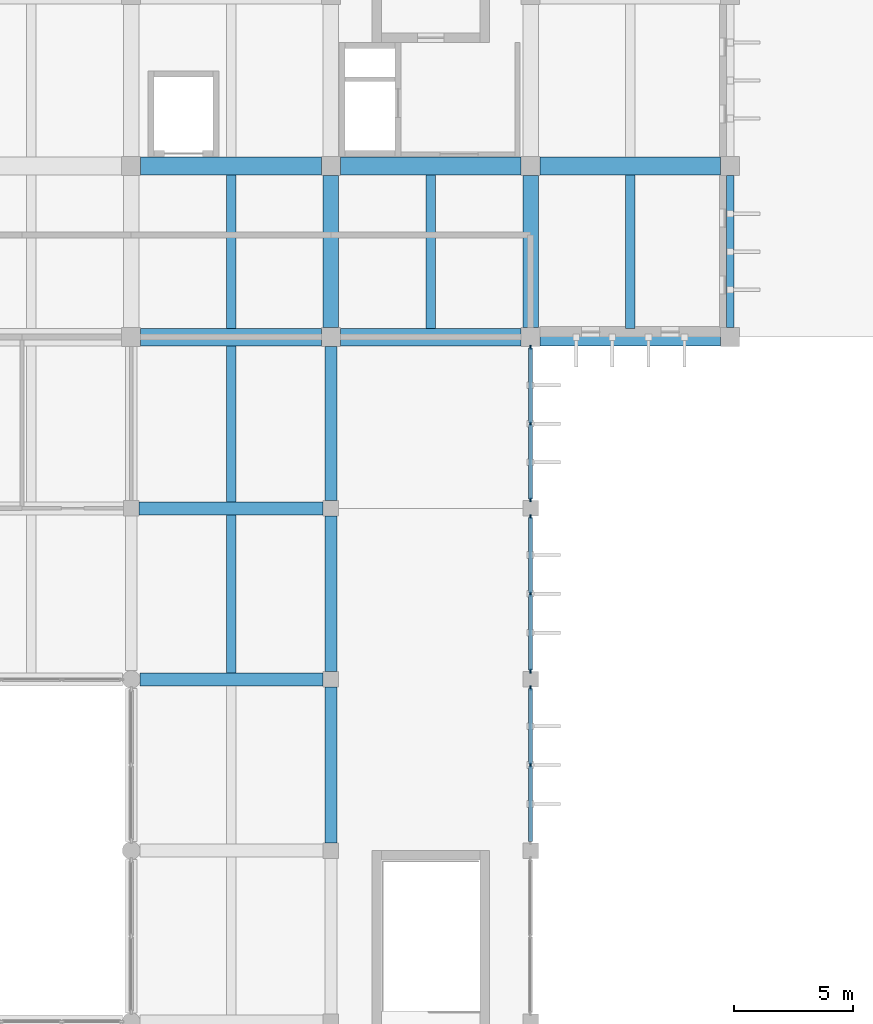
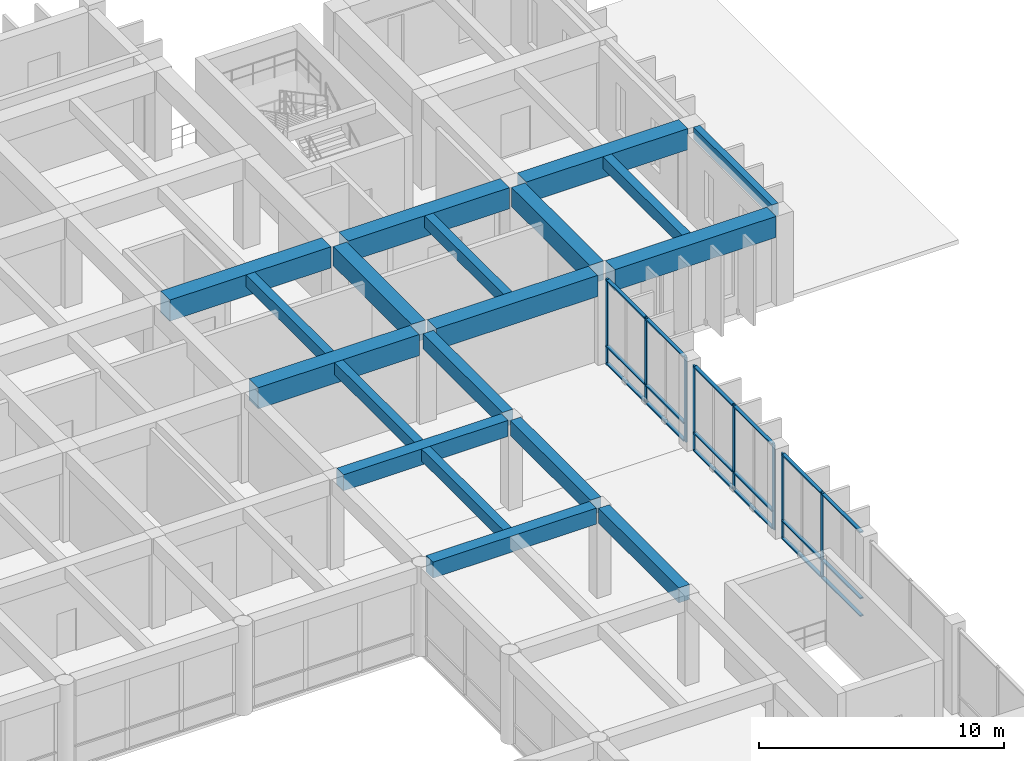
# One storey, part 19 of 40: 26 members, 19 beams, 3 elements without a shape of their own.
"""IFC4 building model written with IfcOpenShell, lengths in metres."""

from ifc_helpers import new_model, si_unit, direction, frame, origin, origin_2d, place, context, subcontext, project, spatial, rectangle, extrude, material, material_profile, profile_set, type_object, element, aggregate, save


model = new_model("IFC4")

# Units and contexts
model_context = context("Model", 3, precision=1e-05, world=origin(), true_north=direction((0.0, 1.0)))
body_context = subcontext(model_context, "Body", "Model", "MODEL_VIEW")
ifc_project = project(units=[si_unit("LENGTHUNIT", "METRE"), si_unit("AREAUNIT", "SQUARE_METRE"), si_unit("VOLUMEUNIT", "CUBIC_METRE"), si_unit("PLANEANGLEUNIT", "RADIAN"), si_unit("MASSUNIT", "GRAM", prefix="KILO")], contexts=[model_context])

# Site, building, storey
site_placement = place(None, origin())
site = spatial("IfcSite", under=ifc_project, at=site_placement, CompositionType="ELEMENT")
building_placement = place(site_placement, origin())
building = spatial("IfcBuilding", under=site, at=building_placement, Name="Kenerak Square Central Library", CompositionType="ELEMENT")
storey_placement = place(building_placement, frame((0.0, 0.0, 14.39990234375)))
storey = spatial("IfcBuildingStorey", under=building, at=storey_placement, Name="L03", CompositionType="ELEMENT", Elevation=14.39990234375)

# Beams
ifc_material_1 = material(Name="Concrete C45/55", Category="concrete")
ifc_material_profile_1 = material_profile(ifc_material_1, rectangle(XDim=0.64990234375, YDim=0.949951171875, at=origin_2d()), Name="RC 650x950")
ifc_profile_set_1 = profile_set([ifc_material_profile_1], Name="Concrete C45/55")
beam_type_1 = type_object("IfcBeamType", Name="Book Stack Girder B-02 RC 650x950 C45/55", PredefinedType="BEAM", material=ifc_profile_set_1)
for number, where, z_axis, x_axis, name in (
    (1, (108.800048828125, 89.199951171875, 4.005126953125), (0.0, 1.0, 0.0), (-1.0, 0.0, 0.0), "Beam B-02 L03 1500"),
    (2, (117.199951171875, 89.199951171875, 4.005126953125), (0.0, 1.0, 0.0), (-1.0, 0.0, 0.0), "Beam B-02 L03 1503"),
):
    element("IfcBeam", number, at=place(storey_placement, frame(where, z_axis=z_axis, x_axis=x_axis)), inside=storey, type_object=beam_type_1, Name=name, PredefinedType="BEAM", context=body_context, shape_type="SweptSolid", body=[
        extrude(rectangle(XDim=0.64990234375, YDim=0.949951171875, at=origin_2d()), origin(), (0.0, 0.0, 1.0), 6.400146484375),
    ])
ifc_material_profile_2 = material_profile(ifc_material_1, rectangle(XDim=0.75, YDim=1.050048828125, at=origin_2d()), Name="RC 750x1050")
ifc_profile_set_2 = profile_set([ifc_material_profile_2], Name="Concrete C45/55")
beam_type_2 = type_object("IfcBeamType", Name="Compact Stack Girder B-01 RC 750x1050 C45/55", PredefinedType="BEAM", material=ifc_profile_set_2)
beam_1_placement = place(storey_placement, frame((100.800048828125, 88.800048828125, 3.955078125), z_axis=(1.0, 0.0, 0.0), x_axis=(0.0, 1.0, 0.0)))
element("IfcBeam", 3, at=beam_1_placement, inside=storey, type_object=beam_type_2, Name="Beam B-01 L03 1440", PredefinedType="BEAM", context=body_context, shape_type="SweptSolid", body=[
    extrude(rectangle(XDim=0.75, YDim=1.050048828125, at=origin_2d()), origin(), (0.0, 0.0, 1.0), 7.599853515625),
])
beam_2_placement = place(storey_placement, frame((109.199951171875, 88.800048828125, 3.955078125), z_axis=(1.0, 0.0, 0.0), x_axis=(0.0, 1.0, 0.0)))
element("IfcBeam", 4, at=beam_2_placement, inside=storey, type_object=beam_type_2, Name="Beam B-01 L03 1441", PredefinedType="BEAM", context=body_context, shape_type="SweptSolid", body=[
    extrude(rectangle(XDim=0.75, YDim=1.050048828125, at=origin_2d()), origin(), (0.0, 0.0, 1.0), 7.60009765625),
])
for number, where, z_axis, x_axis, name in (
    (5, (117.60009765625, 88.800048828125, 3.955078125), (1.0, 0.0, 0.0), (0.0, 1.0, 0.0), "Beam B-01 L03 1442"),
    (6, (100.800048828125, 96.0, 3.955078125), (1.0, 0.0, 0.0), (0.0, 1.0, 0.0), "Beam B-01 L03 1448"),
):
    element("IfcBeam", number, at=place(storey_placement, frame(where, z_axis=z_axis, x_axis=x_axis)), inside=storey, type_object=beam_type_2, Name=name, PredefinedType="BEAM", context=body_context, shape_type="SweptSolid", body=[
        extrude(rectangle(XDim=0.75, YDim=1.050048828125, at=origin_2d()), origin(), (0.0, 0.0, 1.0), 7.599853515625),
    ])
beam_3_placement = place(storey_placement, frame((109.199951171875, 96.0, 3.955078125), z_axis=(1.0, 0.0, 0.0), x_axis=(0.0, 1.0, 0.0)))
element("IfcBeam", 7, at=beam_3_placement, inside=storey, type_object=beam_type_2, Name="Beam B-01 L03 1449", PredefinedType="BEAM", context=body_context, shape_type="SweptSolid", body=[
    extrude(rectangle(XDim=0.75, YDim=1.050048828125, at=origin_2d()), origin(), (0.0, 0.0, 1.0), 7.60009765625),
])
beam_4_placement = place(storey_placement, frame((117.60009765625, 96.0, 3.955078125), z_axis=(1.0, 0.0, 0.0), x_axis=(0.0, 1.0, 0.0)))
element("IfcBeam", 8, at=beam_4_placement, inside=storey, type_object=beam_type_2, Name="Beam B-01 L03 1450", PredefinedType="BEAM", context=body_context, shape_type="SweptSolid", body=[
    extrude(rectangle(XDim=0.75, YDim=1.050048828125, at=origin_2d()), origin(), (0.0, 0.0, 1.0), 7.599853515625),
])
ifc_material_2 = material(Name="Concrete C40/50", Category="concrete")
ifc_material_profile_3 = material_profile(ifc_material_2, rectangle(XDim=0.300048828125, YDim=0.60009765625, at=origin_2d()), Name="RC 300x600")
ifc_profile_set_3 = profile_set([ifc_material_profile_3], Name="Concrete C40/50")
beam_type_3 = type_object("IfcBeamType", Name="Courtyard Spandrel Beam SP-02 RC 300x600 C40/50", PredefinedType="SPANDREL", material=ifc_profile_set_3)
beam_5_placement = place(storey_placement, frame((125.60009765625, 89.199951171875, 4.18017578125), z_axis=(0.0, 1.0, 0.0), x_axis=(-1.0, 0.0, 0.0)))
element("IfcBeam", 9, at=beam_5_placement, inside=storey, type_object=beam_type_3, Name="Beam SP-02 L03 1506", PredefinedType="SPANDREL", context=body_context, shape_type="SweptSolid", body=[
    extrude(rectangle(XDim=0.300048828125, YDim=0.60009765625, at=origin_2d()), origin(), (0.0, 0.0, 1.0), 6.400146484375),
])

# Curtain wall, members
ifc_material_3 = material(Name="Anodised aluminium and solar-control low-E glazing", Category="aluminium")
curtain_wall_type_1 = type_object("IfcCurtainWallType", Name="Curtain Wall CW-V4-64x42 6475x4230", PredefinedType="USERDEFINED", material=ifc_material_3)
curtain_wall_1_placement = place(storey_placement, origin())
curtain_wall_1 = element("IfcCurtainWall", 10, at=curtain_wall_1_placement, inside=storey, type_object=curtain_wall_type_1, Name="Curtain Wall CW-V4-64x42 L03 0116", ObjectType="CURTAIN WALL", PredefinedType="USERDEFINED")
ifc_material_4 = material(Name="Anodised aluminium 6063-T6", Category="aluminium")
ifc_material_profile_4 = material_profile(ifc_material_4, rectangle(XDim=0.06494140625, YDim=0.179931640625, at=origin_2d()), Name="AL MULLION 65x180")
ifc_profile_set_4 = profile_set([ifc_material_profile_4], Name="Anodised aluminium 6063-T6")
member_type_1 = type_object("IfcMemberType", Name="Curtain Mullion CM-01 65x180", PredefinedType="MULLION", material=ifc_profile_set_4)
member_1_placement = place(storey_placement, frame((117.199951171875, 88.367431640625, 0.0), z_axis=(0.0, 0.0, 1.0), x_axis=(1.0, 0.0, 0.0)))
member_1 = element("IfcMember", 11, at=member_1_placement, type_object=member_type_1, Name="CW-V4-64x42 Mullion 1", PredefinedType="MULLION", context=body_context, shape_type="SweptSolid", body=[
    extrude(rectangle(XDim=0.06494140625, YDim=0.179931640625, at=origin_2d()), origin(), (0.0, 0.0, 1.0), 4.22998046875),
])
member_2_placement = place(storey_placement, frame((117.199951171875, 85.16259765625, 0.0), z_axis=(0.0, 0.0, 1.0), x_axis=(1.0, 0.0, 0.0)))
member_2 = element("IfcMember", 12, at=member_2_placement, type_object=member_type_1, Name="CW-V4-64x42 Mullion 2", PredefinedType="MULLION", context=body_context, shape_type="SweptSolid", body=[
    extrude(rectangle(XDim=0.06494140625, YDim=0.179931640625, at=origin_2d()), origin(), (0.0, 0.0, 1.0), 4.22998046875),
])
member_3_placement = place(storey_placement, frame((117.199951171875, 81.95751953125, 0.0), z_axis=(0.0, 0.0, 1.0), x_axis=(1.0, 0.0, 0.0)))
member_3 = element("IfcMember", 13, at=member_3_placement, type_object=member_type_1, Name="CW-V4-64x42 Mullion 3", PredefinedType="MULLION", context=body_context, shape_type="SweptSolid", body=[
    extrude(rectangle(XDim=0.06494140625, YDim=0.179931640625, at=origin_2d()), origin(), (0.0, 0.0, 1.0), 4.22998046875),
])

curtain_wall_type_2 = type_object("IfcCurtainWallType", Name="Curtain Wall CW-V4-65x42 6550x4230", PredefinedType="USERDEFINED", material=ifc_material_3)
curtain_wall_2_placement = place(storey_placement, origin())
curtain_wall_2 = element("IfcCurtainWall", 14, at=curtain_wall_2_placement, inside=storey, type_object=curtain_wall_type_2, Name="Curtain Wall CW-V4-65x42 L03 0117", ObjectType="CURTAIN WALL", PredefinedType="USERDEFINED")
member_4_placement = place(storey_placement, frame((117.199951171875, 81.242431640625, 0.0), z_axis=(0.0, 0.0, 1.0), x_axis=(1.0, 0.0, 0.0)))
member_4 = element("IfcMember", 15, at=member_4_placement, type_object=member_type_1, Name="CW-V4-65x42 Mullion 1", PredefinedType="MULLION", context=body_context, shape_type="SweptSolid", body=[
    extrude(rectangle(XDim=0.06494140625, YDim=0.179931640625, at=origin_2d()), origin(), (0.0, 0.0, 1.0), 4.22998046875),
])
member_5_placement = place(storey_placement, frame((117.199951171875, 78.0, 0.0), z_axis=(0.0, 0.0, 1.0), x_axis=(1.0, 0.0, 0.0)))
member_5 = element("IfcMember", 16, at=member_5_placement, type_object=member_type_1, Name="CW-V4-65x42 Mullion 2", PredefinedType="MULLION", context=body_context, shape_type="SweptSolid", body=[
    extrude(rectangle(XDim=0.06494140625, YDim=0.179931640625, at=origin_2d()), origin(), (0.0, 0.0, 1.0), 4.22998046875),
])
member_6_placement = place(storey_placement, frame((117.199951171875, 74.757568359375, 0.0), z_axis=(0.0, 0.0, 1.0), x_axis=(1.0, 0.0, 0.0)))
member_6 = element("IfcMember", 17, at=member_6_placement, type_object=member_type_1, Name="CW-V4-65x42 Mullion 3", PredefinedType="MULLION", context=body_context, shape_type="SweptSolid", body=[
    extrude(rectangle(XDim=0.06494140625, YDim=0.179931640625, at=origin_2d()), origin(), (0.0, 0.0, 1.0), 4.22998046875),
])

curtain_wall_3_placement = place(storey_placement, origin())
curtain_wall_3 = element("IfcCurtainWall", 18, at=curtain_wall_3_placement, inside=storey, type_object=curtain_wall_type_2, Name="Curtain Wall CW-V4-65x42 L03 0118", ObjectType="CURTAIN WALL", PredefinedType="USERDEFINED")
member_7_placement = place(storey_placement, frame((117.199951171875, 74.04248046875, 0.0), z_axis=(0.0, 0.0, 1.0), x_axis=(1.0, 0.0, 0.0)))
member_7 = element("IfcMember", 19, at=member_7_placement, type_object=member_type_1, Name="CW-V4-65x42 Mullion 1", PredefinedType="MULLION", context=body_context, shape_type="SweptSolid", body=[
    extrude(rectangle(XDim=0.06494140625, YDim=0.179931640625, at=origin_2d()), origin(), (0.0, 0.0, 1.0), 4.22998046875),
])
member_8_placement = place(storey_placement, frame((117.199951171875, 70.800048828125, 0.0), z_axis=(0.0, 0.0, 1.0), x_axis=(1.0, 0.0, 0.0)))
member_8 = element("IfcMember", 20, at=member_8_placement, type_object=member_type_1, Name="CW-V4-65x42 Mullion 2", PredefinedType="MULLION", context=body_context, shape_type="SweptSolid", body=[
    extrude(rectangle(XDim=0.06494140625, YDim=0.179931640625, at=origin_2d()), origin(), (0.0, 0.0, 1.0), 4.22998046875),
])

# Member
ifc_material_profile_5 = material_profile(ifc_material_4, rectangle(XDim=0.159912109375, YDim=0.06494140625, at=origin_2d()), Name="AL TRANSOM 160x65")
ifc_profile_set_5 = profile_set([ifc_material_profile_5], Name="Anodised aluminium 6063-T6")
member_type_2 = type_object("IfcMemberType", Name="Curtain Transom CT-11 160x65", PredefinedType="USERDEFINED", material=ifc_profile_set_5)
member_9_placement = place(storey_placement, frame((117.199951171875, 88.3349609375, 0.03271484375), z_axis=(0.0, -1.0, 0.0), x_axis=(1.0, 0.0, 0.0)))
member_9 = element("IfcMember", 21, at=member_9_placement, type_object=member_type_2, Name="CW-V4-64x42 Transom 1.1", ObjectType="TRANSOM", PredefinedType="USERDEFINED", context=body_context, shape_type="SweptSolid", body=[
    extrude(rectangle(XDim=0.159912109375, YDim=0.06494140625, at=origin_2d()), origin(), (0.0, 0.0, 1.0), 3.139892578125),
])

member_10_placement = place(storey_placement, frame((117.199951171875, 88.3349609375, 0.900146484375), z_axis=(0.0, -1.0, 0.0), x_axis=(1.0, 0.0, 0.0)))
member_10 = element("IfcMember", 22, at=member_10_placement, type_object=member_type_2, Name="CW-V4-64x42 Transom 1.2", ObjectType="TRANSOM", PredefinedType="USERDEFINED", context=body_context, shape_type="SweptSolid", body=[
    extrude(rectangle(XDim=0.159912109375, YDim=0.06494140625, at=origin_2d()), origin(), (0.0, 0.0, 1.0), 3.139892578125),
])

member_11_placement = place(storey_placement, frame((117.199951171875, 88.3349609375, 4.197509765625), z_axis=(0.0, -1.0, 0.0), x_axis=(1.0, 0.0, 0.0)))
member_11 = element("IfcMember", 23, at=member_11_placement, type_object=member_type_2, Name="CW-V4-64x42 Transom 1.3", ObjectType="TRANSOM", PredefinedType="USERDEFINED", context=body_context, shape_type="SweptSolid", body=[
    extrude(rectangle(XDim=0.159912109375, YDim=0.06494140625, at=origin_2d()), origin(), (0.0, 0.0, 1.0), 3.139892578125),
])

member_12_placement = place(storey_placement, frame((117.199951171875, 85.1298828125, 0.03271484375), z_axis=(0.0, -1.0, 0.0), x_axis=(1.0, 0.0, 0.0)))
member_12 = element("IfcMember", 24, at=member_12_placement, type_object=member_type_2, Name="CW-V4-64x42 Transom 2.1", ObjectType="TRANSOM", PredefinedType="USERDEFINED", context=body_context, shape_type="SweptSolid", body=[
    extrude(rectangle(XDim=0.159912109375, YDim=0.06494140625, at=origin_2d()), origin(), (0.0, 0.0, 1.0), 3.139892578125),
])

member_13_placement = place(storey_placement, frame((117.199951171875, 85.1298828125, 0.900146484375), z_axis=(0.0, -1.0, 0.0), x_axis=(1.0, 0.0, 0.0)))
member_13 = element("IfcMember", 25, at=member_13_placement, type_object=member_type_2, Name="CW-V4-64x42 Transom 2.2", ObjectType="TRANSOM", PredefinedType="USERDEFINED", context=body_context, shape_type="SweptSolid", body=[
    extrude(rectangle(XDim=0.159912109375, YDim=0.06494140625, at=origin_2d()), origin(), (0.0, 0.0, 1.0), 3.139892578125),
])

member_14_placement = place(storey_placement, frame((117.199951171875, 85.1298828125, 4.197509765625), z_axis=(0.0, -1.0, 0.0), x_axis=(1.0, 0.0, 0.0)))
member_14 = element("IfcMember", 26, at=member_14_placement, type_object=member_type_2, Name="CW-V4-64x42 Transom 2.3", ObjectType="TRANSOM", PredefinedType="USERDEFINED", context=body_context, shape_type="SweptSolid", body=[
    extrude(rectangle(XDim=0.159912109375, YDim=0.06494140625, at=origin_2d()), origin(), (0.0, 0.0, 1.0), 3.139892578125),
])

aggregate(curtain_wall_1, [member_1, member_2, member_3, member_9, member_10, member_11, member_12, member_13, member_14])

member_15_placement = place(storey_placement, frame((117.199951171875, 81.2099609375, 0.03271484375), z_axis=(0.0, -1.0, 0.0), x_axis=(1.0, 0.0, 0.0)))
member_15 = element("IfcMember", 27, at=member_15_placement, type_object=member_type_2, Name="CW-V4-65x42 Transom 1.1", ObjectType="TRANSOM", PredefinedType="USERDEFINED", context=body_context, shape_type="SweptSolid", body=[
    extrude(rectangle(XDim=0.159912109375, YDim=0.06494140625, at=origin_2d()), origin(), (0.0, 0.0, 1.0), 3.177490234375),
])

member_16_placement = place(storey_placement, frame((117.199951171875, 81.2099609375, 0.900146484375), z_axis=(0.0, -1.0, 0.0), x_axis=(1.0, 0.0, 0.0)))
member_16 = element("IfcMember", 28, at=member_16_placement, type_object=member_type_2, Name="CW-V4-65x42 Transom 1.2", ObjectType="TRANSOM", PredefinedType="USERDEFINED", context=body_context, shape_type="SweptSolid", body=[
    extrude(rectangle(XDim=0.159912109375, YDim=0.06494140625, at=origin_2d()), origin(), (0.0, 0.0, 1.0), 3.177490234375),
])

member_17_placement = place(storey_placement, frame((117.199951171875, 81.2099609375, 4.197509765625), z_axis=(0.0, -1.0, 0.0), x_axis=(1.0, 0.0, 0.0)))
member_17 = element("IfcMember", 29, at=member_17_placement, type_object=member_type_2, Name="CW-V4-65x42 Transom 1.3", ObjectType="TRANSOM", PredefinedType="USERDEFINED", context=body_context, shape_type="SweptSolid", body=[
    extrude(rectangle(XDim=0.159912109375, YDim=0.06494140625, at=origin_2d()), origin(), (0.0, 0.0, 1.0), 3.177490234375),
])

member_18_placement = place(storey_placement, frame((117.199951171875, 77.967529296875, 0.03271484375), z_axis=(0.0, -1.0, 0.0), x_axis=(1.0, 0.0, 0.0)))
member_18 = element("IfcMember", 30, at=member_18_placement, type_object=member_type_2, Name="CW-V4-65x42 Transom 2.1", ObjectType="TRANSOM", PredefinedType="USERDEFINED", context=body_context, shape_type="SweptSolid", body=[
    extrude(rectangle(XDim=0.159912109375, YDim=0.06494140625, at=origin_2d()), origin(), (0.0, 0.0, 1.0), 3.177490234375),
])

member_19_placement = place(storey_placement, frame((117.199951171875, 77.967529296875, 0.900146484375), z_axis=(0.0, -1.0, 0.0), x_axis=(1.0, 0.0, 0.0)))
member_19 = element("IfcMember", 31, at=member_19_placement, type_object=member_type_2, Name="CW-V4-65x42 Transom 2.2", ObjectType="TRANSOM", PredefinedType="USERDEFINED", context=body_context, shape_type="SweptSolid", body=[
    extrude(rectangle(XDim=0.159912109375, YDim=0.06494140625, at=origin_2d()), origin(), (0.0, 0.0, 1.0), 3.177490234375),
])

member_20_placement = place(storey_placement, frame((117.199951171875, 77.967529296875, 4.197509765625), z_axis=(0.0, -1.0, 0.0), x_axis=(1.0, 0.0, 0.0)))
member_20 = element("IfcMember", 32, at=member_20_placement, type_object=member_type_2, Name="CW-V4-65x42 Transom 2.3", ObjectType="TRANSOM", PredefinedType="USERDEFINED", context=body_context, shape_type="SweptSolid", body=[
    extrude(rectangle(XDim=0.159912109375, YDim=0.06494140625, at=origin_2d()), origin(), (0.0, 0.0, 1.0), 3.177490234375),
])

aggregate(curtain_wall_2, [member_4, member_5, member_6, member_15, member_16, member_17, member_18, member_19, member_20])

member_21_placement = place(storey_placement, frame((117.199951171875, 74.010009765625, 0.03271484375), z_axis=(0.0, -1.0, 0.0), x_axis=(1.0, 0.0, 0.0)))
member_21 = element("IfcMember", 33, at=member_21_placement, type_object=member_type_2, Name="CW-V4-65x42 Transom 1.1", ObjectType="TRANSOM", PredefinedType="USERDEFINED", context=body_context, shape_type="SweptSolid", body=[
    extrude(rectangle(XDim=0.159912109375, YDim=0.06494140625, at=origin_2d()), origin(), (0.0, 0.0, 1.0), 3.177490234375),
])

member_22_placement = place(storey_placement, frame((117.199951171875, 74.010009765625, 0.900146484375), z_axis=(0.0, -1.0, 0.0), x_axis=(1.0, 0.0, 0.0)))
member_22 = element("IfcMember", 34, at=member_22_placement, type_object=member_type_2, Name="CW-V4-65x42 Transom 1.2", ObjectType="TRANSOM", PredefinedType="USERDEFINED", context=body_context, shape_type="SweptSolid", body=[
    extrude(rectangle(XDim=0.159912109375, YDim=0.06494140625, at=origin_2d()), origin(), (0.0, 0.0, 1.0), 3.177490234375),
])

member_23_placement = place(storey_placement, frame((117.199951171875, 74.010009765625, 4.197509765625), z_axis=(0.0, -1.0, 0.0), x_axis=(1.0, 0.0, 0.0)))
member_23 = element("IfcMember", 35, at=member_23_placement, type_object=member_type_2, Name="CW-V4-65x42 Transom 1.3", ObjectType="TRANSOM", PredefinedType="USERDEFINED", context=body_context, shape_type="SweptSolid", body=[
    extrude(rectangle(XDim=0.159912109375, YDim=0.06494140625, at=origin_2d()), origin(), (0.0, 0.0, 1.0), 3.177490234375),
])

member_24_placement = place(storey_placement, frame((117.199951171875, 70.767578125, 0.03271484375), z_axis=(0.0, -1.0, 0.0), x_axis=(1.0, 0.0, 0.0)))
member_24 = element("IfcMember", 36, at=member_24_placement, type_object=member_type_2, Name="CW-V4-65x42 Transom 2.1", ObjectType="TRANSOM", PredefinedType="USERDEFINED", context=body_context, shape_type="SweptSolid", body=[
    extrude(rectangle(XDim=0.159912109375, YDim=0.06494140625, at=origin_2d()), origin(), (0.0, 0.0, 1.0), 3.177490234375),
])

member_25_placement = place(storey_placement, frame((117.199951171875, 70.767578125, 0.900146484375), z_axis=(0.0, -1.0, 0.0), x_axis=(1.0, 0.0, 0.0)))
member_25 = element("IfcMember", 37, at=member_25_placement, type_object=member_type_2, Name="CW-V4-65x42 Transom 2.2", ObjectType="TRANSOM", PredefinedType="USERDEFINED", context=body_context, shape_type="SweptSolid", body=[
    extrude(rectangle(XDim=0.159912109375, YDim=0.06494140625, at=origin_2d()), origin(), (0.0, 0.0, 1.0), 3.177490234375),
])

member_26_placement = place(storey_placement, frame((117.199951171875, 70.767578125, 4.197509765625), z_axis=(0.0, -1.0, 0.0), x_axis=(1.0, 0.0, 0.0)))
member_26 = element("IfcMember", 38, at=member_26_placement, type_object=member_type_2, Name="CW-V4-65x42 Transom 2.3", ObjectType="TRANSOM", PredefinedType="USERDEFINED", context=body_context, shape_type="SweptSolid", body=[
    extrude(rectangle(XDim=0.159912109375, YDim=0.06494140625, at=origin_2d()), origin(), (0.0, 0.0, 1.0), 3.177490234375),
])

aggregate(curtain_wall_3, [member_7, member_8, member_21, member_22, member_23, member_24, member_25, member_26])

# Beams
ifc_material_profile_6 = material_profile(ifc_material_2, rectangle(XDim=0.550048828125, YDim=0.800048828125, at=origin_2d()), Name="RC 550x800")
ifc_profile_set_6 = profile_set([ifc_material_profile_6], Name="Concrete C40/50")
beam_type_4 = type_object("IfcBeamType", Name="Primary Reading Beam B-04 RC 550x800 C40/50", PredefinedType="BEAM", material=ifc_profile_set_6)
beam_6_placement = place(storey_placement, frame((100.77490234375, 74.39990234375, 4.080078125), z_axis=(1.0, 0.0, 0.0), x_axis=(0.0, 1.0, 0.0)))
element("IfcBeam", 39, at=beam_6_placement, inside=storey, type_object=beam_type_4, Name="Beam B-04 L03 1430", PredefinedType="BEAM", context=body_context, shape_type="SweptSolid", body=[
    extrude(rectangle(XDim=0.550048828125, YDim=0.800048828125, at=origin_2d()), origin(), (0.0, 0.0, 1.0), 7.7001953125),
])
beam_7_placement = place(storey_placement, frame((100.72509765625, 81.60009765625, 4.080078125), z_axis=(1.0, 0.0, 0.0), x_axis=(0.0, 1.0, 0.0)))
element("IfcBeam", 40, at=beam_7_placement, inside=storey, type_object=beam_type_4, Name="Beam B-04 L03 1434", PredefinedType="BEAM", context=body_context, shape_type="SweptSolid", body=[
    extrude(rectangle(XDim=0.550048828125, YDim=0.800048828125, at=origin_2d()), origin(), (0.0, 0.0, 1.0), 7.75),
])
ifc_material_profile_7 = material_profile(ifc_material_2, rectangle(XDim=0.39990234375, YDim=0.60009765625, at=origin_2d()), Name="RC 400x600")
ifc_profile_set_7 = profile_set([ifc_material_profile_7], Name="Concrete C40/50")
beam_type_5 = type_object("IfcBeamType", Name="Secondary Floor Joist J-01 RC 400x600 C40/50", PredefinedType="JOIST", material=ifc_profile_set_7)
beam_8_placement = place(storey_placement, frame((104.60009765625, 74.675048828125, 4.18017578125), z_axis=(0.0, 1.0, 0.0), x_axis=(-1.0, 0.0, 0.0)))
element("IfcBeam", 41, at=beam_8_placement, inside=storey, type_object=beam_type_5, Name="Joist J-01 L03 1526", PredefinedType="JOIST", context=body_context, shape_type="SweptSolid", body=[
    extrude(rectangle(XDim=0.39990234375, YDim=0.60009765625, at=origin_2d()), origin(), (0.0, 0.0, 1.0), 6.64990234375),
])
beam_9_placement = place(storey_placement, frame((104.60009765625, 81.875, 4.18017578125), z_axis=(0.0, 1.0, 0.0), x_axis=(-1.0, 0.0, 0.0)))
element("IfcBeam", 42, at=beam_9_placement, inside=storey, type_object=beam_type_5, Name="Joist J-01 L03 1527", PredefinedType="JOIST", context=body_context, shape_type="SweptSolid", body=[
    extrude(rectangle(XDim=0.39990234375, YDim=0.60009765625, at=origin_2d()), origin(), (0.0, 0.0, 1.0), 6.550048828125),
])
for number, where, z_axis, x_axis, name in (
    (43, (104.60009765625, 89.175048828125, 4.18017578125), (0.0, 1.0, 0.0), (-1.0, 0.0, 0.0), "Joist J-01 L03 1528"),
    (44, (113.0, 89.175048828125, 4.18017578125), (0.0, 1.0, 0.0), (-1.0, 0.0, 0.0), "Joist J-01 L03 1531"),
    (45, (121.39990234375, 89.175048828125, 4.18017578125), (0.0, 1.0, 0.0), (-1.0, 0.0, 0.0), "Joist J-01 L03 1532"),
):
    element("IfcBeam", number, at=place(storey_placement, frame(where, z_axis=z_axis, x_axis=x_axis)), inside=storey, type_object=beam_type_5, Name=name, PredefinedType="JOIST", context=body_context, shape_type="SweptSolid", body=[
        extrude(rectangle(XDim=0.39990234375, YDim=0.60009765625, at=origin_2d()), origin(), (0.0, 0.0, 1.0), 6.449951171875),
    ])
ifc_material_profile_8 = material_profile(ifc_material_2, rectangle(XDim=0.5, YDim=0.75, at=origin_2d()), Name="RC 500x750")
ifc_profile_set_8 = profile_set([ifc_material_profile_8], Name="Concrete C40/50")
beam_type_6 = type_object("IfcBeamType", Name="Transverse Frame Beam B-05 RC 500x750 C40/50", PredefinedType="BEAM", material=ifc_profile_set_8)
beam_10_placement = place(storey_placement, frame((108.800048828125, 67.52490234375, 4.10498046875), z_axis=(0.0, 1.0, 0.0), x_axis=(-1.0, 0.0, 0.0)))
element("IfcBeam", 46, at=beam_10_placement, inside=storey, type_object=beam_type_6, Name="Beam B-05 L03 1497", PredefinedType="BEAM", context=body_context, shape_type="SweptSolid", body=[
    extrude(rectangle(XDim=0.5, YDim=0.75, at=origin_2d()), origin(), (0.0, 0.0, 1.0), 6.550048828125),
])
beam_11_placement = place(storey_placement, frame((108.800048828125, 74.72509765625, 4.10498046875), z_axis=(0.0, 1.0, 0.0), x_axis=(-1.0, 0.0, 0.0)))
element("IfcBeam", 47, at=beam_11_placement, inside=storey, type_object=beam_type_6, Name="Beam B-05 L03 1498", PredefinedType="BEAM", context=body_context, shape_type="SweptSolid", body=[
    extrude(rectangle(XDim=0.5, YDim=0.75, at=origin_2d()), origin(), (0.0, 0.0, 1.0), 6.5498046875),
])
beam_12_placement = place(storey_placement, frame((108.800048828125, 81.925048828125, 4.10498046875), z_axis=(0.0, 1.0, 0.0), x_axis=(-1.0, 0.0, 0.0)))
element("IfcBeam", 48, at=beam_12_placement, inside=storey, type_object=beam_type_6, Name="Beam B-05 L03 1499", PredefinedType="BEAM", context=body_context, shape_type="SweptSolid", body=[
    extrude(rectangle(XDim=0.5, YDim=0.75, at=origin_2d()), origin(), (0.0, 0.0, 1.0), 6.474853515625),
])

save(model, "model.ifc")
